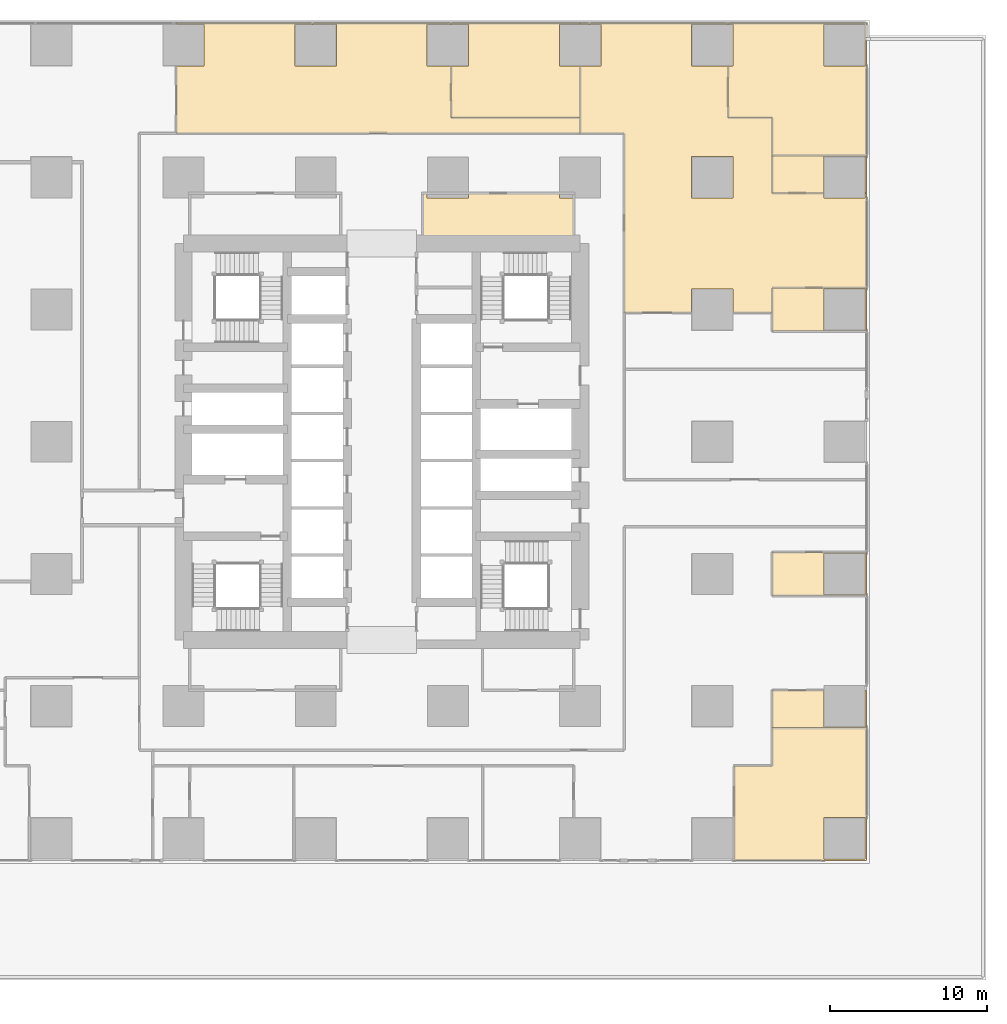
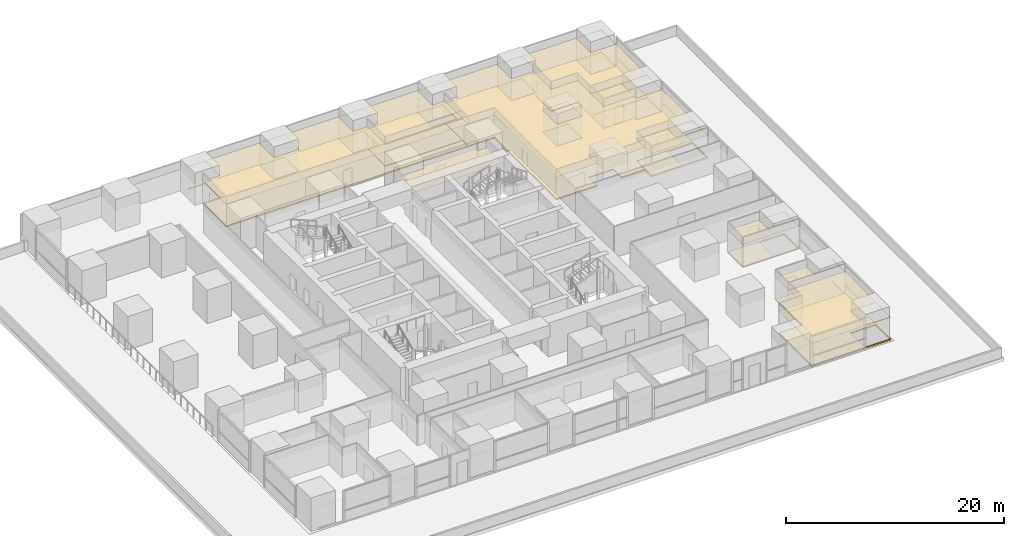
# One storey, part 35 of 35: 19 coverings.
"""IFC4 building model written with IfcOpenShell, lengths in metres."""

from ifc_helpers import new_model, si_unit, direction, frame, origin, place, context, subcontext, project, spatial, polyline, outline, extrude, material, layer, layer_set, type_object, element, save


model = new_model("IFC4")

# Units and contexts
model_context = context("Model", 3, precision=1e-05, world=origin(), true_north=direction((0.0, 1.0)))
body_context = subcontext(model_context, "Body", "Model", "MODEL_VIEW")
ifc_project = project(units=[si_unit("LENGTHUNIT", "METRE"), si_unit("AREAUNIT", "SQUARE_METRE"), si_unit("VOLUMEUNIT", "CUBIC_METRE"), si_unit("PLANEANGLEUNIT", "RADIAN"), si_unit("MASSUNIT", "GRAM", prefix="KILO")], contexts=[model_context])

# Site, building, storey
site_placement = place(None, origin())
site = spatial("IfcSite", under=ifc_project, at=site_placement, CompositionType="ELEMENT")
building_placement = place(site_placement, origin())
building = spatial("IfcBuilding", under=site, at=building_placement, Name="Rekha Terrace Tower", CompositionType="ELEMENT")
storey_placement = place(building_placement, frame((0.0, 0.0, 25.39990234375)))
storey = spatial("IfcBuildingStorey", under=building, at=storey_placement, Name="L05", CompositionType="ELEMENT", Elevation=25.39990234375)

# Coverings
ifc_material_1 = material(Name="Mineral fibre tile in exposed grid", Category="finish")
ifc_layer_1 = layer(ifc_material_1, 0.02001953125)
ifc_layer_set_1 = layer_set([ifc_layer_1], Name="Mineral fibre tile in exposed grid")
covering_type_1 = type_object("IfcCoveringType", Name="CL1 600x1200 office grid ceiling", PredefinedType="CEILING", material=ifc_layer_set_1)
covering_1_placement = place(storey_placement, frame((0.0, 0.0, 2.580078125)))
element("IfcCovering", 1, at=covering_1_placement, inside=storey, type_object=covering_type_1, Name="Ceiling L05-04", PredefinedType="CEILING", context=body_context, shape_type="SweptSolid", body=[
    extrude(outline(polyline([(62.60009765625, 13.0), (60.166015625, 13.0), (60.166015625, 7.0), (68.60009765625, 7.0), (68.60009765625, 15.43505859375), (62.60009765625, 15.43505859375), (62.60009765625, 13.0)]), holes=[polyline([(68.514892578125, 7.0849609375), (65.885009765625, 7.0849609375), (65.885009765625, 9.715087890625), (68.514892578125, 9.715087890625), (68.514892578125, 7.0849609375)])]), origin(), (0.0, 0.0, 1.0), 0.02001953125),
])
covering_2_placement = place(storey_placement, frame((0.0, 0.0, 2.580078125)))
element("IfcCovering", 2, at=covering_2_placement, inside=storey, type_object=covering_type_1, Name="Ceiling L05-05", PredefinedType="CEILING", context=body_context, shape_type="SweptSolid", body=[
    extrude(outline(polyline([(65.885009765625, 17.800048828125), (62.60009765625, 17.800048828125), (62.60009765625, 15.43603515625), (68.60009765625, 15.43603515625), (68.60009765625, 17.800048828125), (68.514892578125, 17.800048828125), (68.514892578125, 15.485107421875), (65.885009765625, 15.485107421875), (65.885009765625, 17.800048828125)])), origin(), (0.0, 0.0, 1.0), 0.02001953125),
])
covering_3_placement = place(storey_placement, frame((0.0, 0.0, 2.580078125)))
element("IfcCovering", 3, at=covering_3_placement, inside=storey, type_object=covering_type_1, Name="Ceiling L05-06", PredefinedType="CEILING", context=body_context, shape_type="SweptSolid", body=[
    extrude(outline(polyline([(68.60009765625, 26.56494140625), (62.60009765625, 26.56494140625), (62.60009765625, 23.8359375), (68.60009765625, 23.8359375), (68.60009765625, 26.56494140625)]), holes=[polyline([(68.514892578125, 23.885009765625), (65.885009765625, 23.885009765625), (65.885009765625, 26.514892578125), (68.514892578125, 26.514892578125), (68.514892578125, 23.885009765625)])]), origin(), (0.0, 0.0, 1.0), 0.02001953125),
])
covering_4_placement = place(storey_placement, frame((0.0, 0.0, 2.580078125)))
element("IfcCovering", 4, at=covering_4_placement, inside=storey, type_object=covering_type_1, Name="Ceiling L05-09", PredefinedType="CEILING", context=body_context, shape_type="SweptSolid", body=[
    extrude(outline(polyline([(62.60009765625, 40.635986328125), (68.60009765625, 40.635986328125), (68.60009765625, 43.364990234375), (62.60009765625, 43.364990234375), (62.60009765625, 40.635986328125)]), holes=[polyline([(68.514892578125, 40.68505859375), (65.885009765625, 40.68505859375), (65.885009765625, 43.31494140625), (68.514892578125, 43.31494140625), (68.514892578125, 40.68505859375)])]), origin(), (0.0, 0.0, 1.0), 0.02001953125),
])
covering_5_placement = place(storey_placement, frame((0.0, 0.0, 2.580078125)))
element("IfcCovering", 5, at=covering_5_placement, inside=storey, type_object=covering_type_1, Name="Ceiling L05-10", PredefinedType="CEILING", context=body_context, shape_type="SweptSolid", body=[
    extrude(outline(polyline([(68.514892578125, 49.39990234375), (68.60009765625, 49.39990234375), (68.60009765625, 51.764892578125), (62.60009765625, 51.764892578125), (62.60009765625, 49.39990234375), (65.885009765625, 49.39990234375), (65.885009765625, 51.715087890625), (68.514892578125, 51.715087890625), (68.514892578125, 49.39990234375)])), origin(), (0.0, 0.0, 1.0), 0.02001953125),
])
covering_6_placement = place(storey_placement, frame((0.0, 0.0, 2.580078125)))
element("IfcCovering", 6, at=covering_6_placement, inside=storey, type_object=covering_type_1, Name="Ceiling L05-11", PredefinedType="CEILING", context=body_context, shape_type="SweptSolid", body=[
    extrude(outline(polyline([(60.114990234375, 57.485107421875), (59.801025390625, 57.485107421875), (59.801025390625, 54.199951171875), (62.60009765625, 54.199951171875), (62.60009765625, 51.76611328125), (68.60009765625, 51.76611328125), (68.59912109375, 53.60009765625), (68.59912109375, 60.199951171875), (59.801025390625, 60.199951171875), (59.801025390625, 60.114990234375), (60.114990234375, 60.114990234375), (60.114990234375, 57.485107421875)]), holes=[polyline([(68.514892578125, 57.485107421875), (65.885009765625, 57.485107421875), (65.885009765625, 60.114990234375), (68.514892578125, 60.114990234375), (68.514892578125, 57.485107421875)])]), origin(), (0.0, 0.0, 1.0), 0.02001953125),
])
covering_7_placement = place(storey_placement, frame((0.0, 0.0, 2.580078125)))
element("IfcCovering", 7, at=covering_7_placement, inside=storey, type_object=covering_type_1, Name="Ceiling L05-O2", PredefinedType="CEILING", context=body_context, shape_type="SweptSolid", body=[
    extrude(outline(polyline([(51.715087890625, 57.485107421875), (50.40087890625, 57.485107421875), (50.40087890625, 53.199951171875), (53.199951171875, 53.199951171875), (53.199951171875, 41.800048828125), (57.485107421875, 41.800048828125), (57.485107421875, 43.31494140625), (60.114990234375, 43.31494140625), (60.114990234375, 41.800048828125), (62.60009765625, 41.800048828125), (62.60009765625, 43.364990234375), (68.60009765625, 43.364990234375), (68.60009765625, 49.39990234375), (68.514892578125, 49.39990234375), (68.514892578125, 49.0849609375), (65.885009765625, 49.0849609375), (65.885009765625, 49.39990234375), (62.60009765625, 49.39990234375), (62.60009765625, 54.199951171875), (59.801025390625, 54.199951171875), (59.801025390625, 57.485107421875), (57.485107421875, 57.485107421875), (57.485107421875, 60.114990234375), (59.801025390625, 60.114990234375), (59.801025390625, 60.199951171875), (50.40087890625, 60.199951171875), (50.40087890625, 60.114990234375), (51.715087890625, 60.114990234375), (51.715087890625, 57.485107421875)]), holes=[polyline([(60.114990234375, 49.0849609375), (57.485107421875, 49.0849609375), (57.485107421875, 51.715087890625), (60.114990234375, 51.715087890625), (60.114990234375, 49.0849609375)])]), origin(), (0.0, 0.0, 1.0), 0.02001953125),
])
covering_8_placement = place(storey_placement, frame((0.0, 0.0, 2.580078125)))
element("IfcCovering", 8, at=covering_8_placement, inside=storey, type_object=covering_type_1, Name="Ceiling L05-14", PredefinedType="CEILING", context=body_context, shape_type="SweptSolid", body=[
    extrude(outline(polyline([(50.39892578125, 60.114990234375), (50.39892578125, 60.199951171875), (42.200927734375, 60.199951171875), (42.200927734375, 60.114990234375), (43.31494140625, 60.114990234375), (43.31494140625, 57.485107421875), (42.200927734375, 57.485107421875), (42.200927734375, 54.199951171875), (50.39892578125, 54.199951171875), (50.39892578125, 57.485107421875), (49.0849609375, 57.485107421875), (49.0849609375, 60.114990234375), (50.39892578125, 60.114990234375)])), origin(), (0.0, 0.0, 1.0), 0.02001953125),
])
covering_9_placement = place(storey_placement, frame((0.0, 0.0, 2.580078125)))
element("IfcCovering", 9, at=covering_9_placement, inside=storey, type_object=covering_type_1, Name="Ceiling L05-O3", PredefinedType="CEILING", context=body_context, shape_type="SweptSolid", body=[
    extrude(outline(polyline([(24.75, 57.485107421875), (24.75, 53.199951171875), (50.39892578125, 53.199951171875), (50.39892578125, 54.199951171875), (42.200927734375, 54.199951171875), (42.200927734375, 57.485107421875), (40.68505859375, 57.485107421875), (40.68505859375, 60.114990234375), (42.200927734375, 60.114990234375), (42.200927734375, 60.199951171875), (24.75, 60.199951171875), (24.75, 60.114990234375), (26.514892578125, 60.114990234375), (26.514892578125, 57.485107421875), (24.75, 57.485107421875)]), holes=[polyline([(34.9150390625, 57.485107421875), (32.284912109375, 57.485107421875), (32.284912109375, 60.114990234375), (34.9150390625, 60.114990234375), (34.9150390625, 57.485107421875)])]), origin(), (0.0, 0.0, 1.0), 0.02001953125),
])
ifc_material_2 = material(Name="Fibre cement board", Category="finish")
ifc_layer_2 = layer(ifc_material_2, 0.014892578125)
ifc_layer_set_2 = layer_set([ifc_layer_2], Name="Fibre cement board")
covering_type_2 = type_object("IfcCoveringType", Name="CL2 moisture-resistant board ceiling", PredefinedType="CEILING", material=ifc_layer_set_2)
covering_10_placement = place(storey_placement, frame((0.0, 0.0, 2.585205078125)))
element("IfcCovering", 10, at=covering_10_placement, inside=storey, type_object=covering_type_2, Name="Ceiling L05-WCF", PredefinedType="CEILING", context=body_context, shape_type="SweptSolid", body=[
    extrude(outline(polyline([(40.68505859375, 49.39990234375), (40.39990234375, 49.39990234375), (40.39990234375, 46.199951171875), (50.0, 46.199951171875), (50.0, 49.0849609375), (49.0849609375, 49.0849609375), (49.0849609375, 49.39990234375), (43.31494140625, 49.39990234375), (43.31494140625, 49.0849609375), (40.68505859375, 49.0849609375), (40.68505859375, 49.39990234375)])), origin(), (0.0, 0.0, 1.0), 0.014892578125),
])
ifc_material_3 = material(Name="Calcium sulphate panels on steel pedestals", Category="steel")
ifc_layer_3 = layer(ifc_material_3, 0.14990234375)
ifc_layer_set_3 = layer_set([ifc_layer_3], Name="Calcium sulphate panels on steel pedestals")
covering_type_3 = type_object("IfcCoveringType", Name="RF1 150 raised access floor", PredefinedType="FLOORING", material=ifc_layer_set_3)
covering_11_placement = place(storey_placement, origin())
element("IfcCovering", 11, at=covering_11_placement, inside=storey, type_object=covering_type_3, Name="Raised floor L05-04", PredefinedType="FLOORING", context=body_context, shape_type="SweptSolid", body=[
    extrude(outline(polyline([(62.60009765625, 13.0), (60.166015625, 13.0), (60.166015625, 7.0), (68.60009765625, 7.0), (68.60009765625, 15.43505859375), (62.60009765625, 15.43505859375), (62.60009765625, 13.0)]), holes=[polyline([(68.514892578125, 7.0849609375), (65.885009765625, 7.0849609375), (65.885009765625, 9.715087890625), (68.514892578125, 9.715087890625), (68.514892578125, 7.0849609375)])]), origin(), (0.0, 0.0, 1.0), 0.150146484375),
])
covering_12_placement = place(storey_placement, origin())
element("IfcCovering", 12, at=covering_12_placement, inside=storey, type_object=covering_type_3, Name="Raised floor L05-05", PredefinedType="FLOORING", context=body_context, shape_type="SweptSolid", body=[
    extrude(outline(polyline([(65.885009765625, 17.800048828125), (62.60009765625, 17.800048828125), (62.60009765625, 15.43603515625), (68.60009765625, 15.43603515625), (68.60009765625, 17.800048828125), (68.514892578125, 17.800048828125), (68.514892578125, 15.485107421875), (65.885009765625, 15.485107421875), (65.885009765625, 17.800048828125)])), origin(), (0.0, 0.0, 1.0), 0.150146484375),
])
covering_13_placement = place(storey_placement, origin())
element("IfcCovering", 13, at=covering_13_placement, inside=storey, type_object=covering_type_3, Name="Raised floor L05-06", PredefinedType="FLOORING", context=body_context, shape_type="SweptSolid", body=[
    extrude(outline(polyline([(68.60009765625, 26.56494140625), (62.60009765625, 26.56494140625), (62.60009765625, 23.8359375), (68.60009765625, 23.8359375), (68.60009765625, 26.56494140625)]), holes=[polyline([(68.514892578125, 23.885009765625), (65.885009765625, 23.885009765625), (65.885009765625, 26.514892578125), (68.514892578125, 26.514892578125), (68.514892578125, 23.885009765625)])]), origin(), (0.0, 0.0, 1.0), 0.150146484375),
])
covering_14_placement = place(storey_placement, origin())
element("IfcCovering", 14, at=covering_14_placement, inside=storey, type_object=covering_type_3, Name="Raised floor L05-09", PredefinedType="FLOORING", context=body_context, shape_type="SweptSolid", body=[
    extrude(outline(polyline([(62.60009765625, 40.635986328125), (68.60009765625, 40.635986328125), (68.60009765625, 43.364990234375), (62.60009765625, 43.364990234375), (62.60009765625, 40.635986328125)]), holes=[polyline([(68.514892578125, 40.68505859375), (65.885009765625, 40.68505859375), (65.885009765625, 43.31494140625), (68.514892578125, 43.31494140625), (68.514892578125, 40.68505859375)])]), origin(), (0.0, 0.0, 1.0), 0.150146484375),
])
covering_15_placement = place(storey_placement, origin())
element("IfcCovering", 15, at=covering_15_placement, inside=storey, type_object=covering_type_3, Name="Raised floor L05-10", PredefinedType="FLOORING", context=body_context, shape_type="SweptSolid", body=[
    extrude(outline(polyline([(68.514892578125, 49.39990234375), (68.60009765625, 49.39990234375), (68.60009765625, 51.764892578125), (62.60009765625, 51.764892578125), (62.60009765625, 49.39990234375), (65.885009765625, 49.39990234375), (65.885009765625, 51.715087890625), (68.514892578125, 51.715087890625), (68.514892578125, 49.39990234375)])), origin(), (0.0, 0.0, 1.0), 0.150146484375),
])
covering_16_placement = place(storey_placement, origin())
element("IfcCovering", 16, at=covering_16_placement, inside=storey, type_object=covering_type_3, Name="Raised floor L05-11", PredefinedType="FLOORING", context=body_context, shape_type="SweptSolid", body=[
    extrude(outline(polyline([(60.114990234375, 57.485107421875), (59.801025390625, 57.485107421875), (59.801025390625, 54.199951171875), (62.60009765625, 54.199951171875), (62.60009765625, 51.76611328125), (68.60009765625, 51.76611328125), (68.59912109375, 53.60009765625), (68.59912109375, 60.199951171875), (59.801025390625, 60.199951171875), (59.801025390625, 60.114990234375), (60.114990234375, 60.114990234375), (60.114990234375, 57.485107421875)]), holes=[polyline([(68.514892578125, 57.485107421875), (65.885009765625, 57.485107421875), (65.885009765625, 60.114990234375), (68.514892578125, 60.114990234375), (68.514892578125, 57.485107421875)])]), origin(), (0.0, 0.0, 1.0), 0.150146484375),
])
covering_17_placement = place(storey_placement, origin())
element("IfcCovering", 17, at=covering_17_placement, inside=storey, type_object=covering_type_3, Name="Raised floor L05-O2", PredefinedType="FLOORING", context=body_context, shape_type="SweptSolid", body=[
    extrude(outline(polyline([(51.715087890625, 57.485107421875), (50.40087890625, 57.485107421875), (50.40087890625, 53.199951171875), (53.199951171875, 53.199951171875), (53.199951171875, 41.800048828125), (57.485107421875, 41.800048828125), (57.485107421875, 43.31494140625), (60.114990234375, 43.31494140625), (60.114990234375, 41.800048828125), (62.60009765625, 41.800048828125), (62.60009765625, 43.364990234375), (68.60009765625, 43.364990234375), (68.60009765625, 49.39990234375), (68.514892578125, 49.39990234375), (68.514892578125, 49.0849609375), (65.885009765625, 49.0849609375), (65.885009765625, 49.39990234375), (62.60009765625, 49.39990234375), (62.60009765625, 54.199951171875), (59.801025390625, 54.199951171875), (59.801025390625, 57.485107421875), (57.485107421875, 57.485107421875), (57.485107421875, 60.114990234375), (59.801025390625, 60.114990234375), (59.801025390625, 60.199951171875), (50.40087890625, 60.199951171875), (50.40087890625, 60.114990234375), (51.715087890625, 60.114990234375), (51.715087890625, 57.485107421875)]), holes=[polyline([(60.114990234375, 49.0849609375), (57.485107421875, 49.0849609375), (57.485107421875, 51.715087890625), (60.114990234375, 51.715087890625), (60.114990234375, 49.0849609375)])]), origin(), (0.0, 0.0, 1.0), 0.150146484375),
])
covering_18_placement = place(storey_placement, origin())
element("IfcCovering", 18, at=covering_18_placement, inside=storey, type_object=covering_type_3, Name="Raised floor L05-14", PredefinedType="FLOORING", context=body_context, shape_type="SweptSolid", body=[
    extrude(outline(polyline([(50.39892578125, 60.114990234375), (50.39892578125, 60.199951171875), (42.200927734375, 60.199951171875), (42.200927734375, 60.114990234375), (43.31494140625, 60.114990234375), (43.31494140625, 57.485107421875), (42.200927734375, 57.485107421875), (42.200927734375, 54.199951171875), (50.39892578125, 54.199951171875), (50.39892578125, 57.485107421875), (49.0849609375, 57.485107421875), (49.0849609375, 60.114990234375), (50.39892578125, 60.114990234375)])), origin(), (0.0, 0.0, 1.0), 0.150146484375),
])
covering_19_placement = place(storey_placement, origin())
element("IfcCovering", 19, at=covering_19_placement, inside=storey, type_object=covering_type_3, Name="Raised floor L05-O3", PredefinedType="FLOORING", context=body_context, shape_type="SweptSolid", body=[
    extrude(outline(polyline([(24.75, 57.485107421875), (24.75, 53.199951171875), (50.39892578125, 53.199951171875), (50.39892578125, 54.199951171875), (42.200927734375, 54.199951171875), (42.200927734375, 57.485107421875), (40.68505859375, 57.485107421875), (40.68505859375, 60.114990234375), (42.200927734375, 60.114990234375), (42.200927734375, 60.199951171875), (24.75, 60.199951171875), (24.75, 60.114990234375), (26.514892578125, 60.114990234375), (26.514892578125, 57.485107421875), (24.75, 57.485107421875)]), holes=[polyline([(34.9150390625, 57.485107421875), (32.284912109375, 57.485107421875), (32.284912109375, 60.114990234375), (34.9150390625, 60.114990234375), (34.9150390625, 57.485107421875)])]), origin(), (0.0, 0.0, 1.0), 0.150146484375),
])

save(model, "model.ifc")
